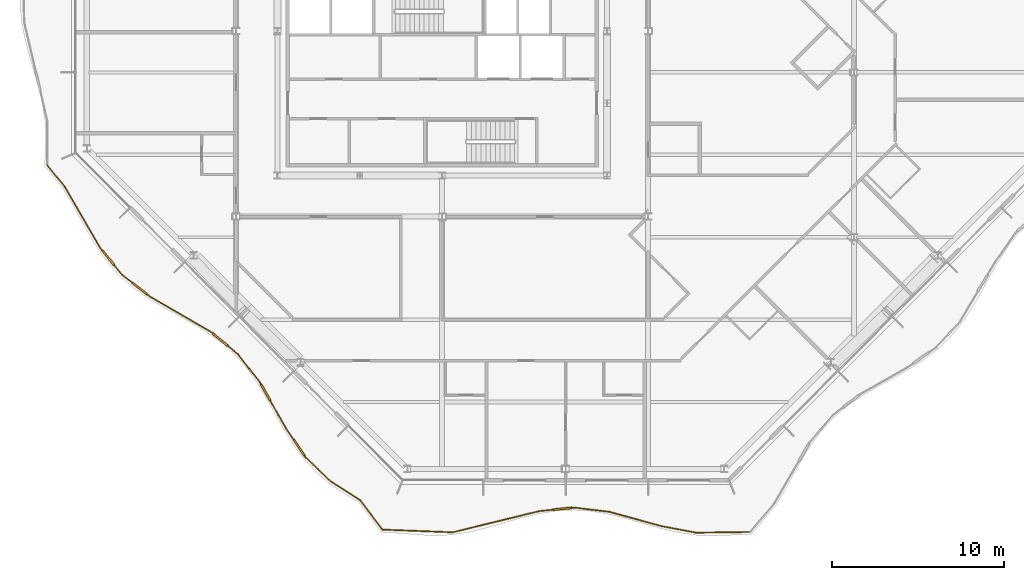
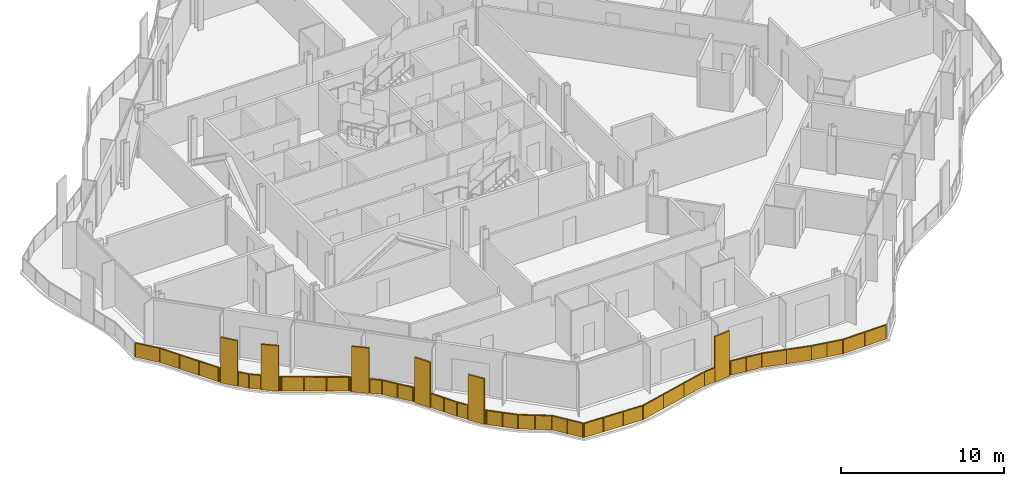
# One storey, part 13 of 17: 2 railings.
"""IFC4 building model written with IfcOpenShell, lengths in metres."""

from ifc_helpers import new_model, si_unit, direction, frame, origin, origin_2d, place, context, subcontext, project, spatial, polyline, rectangle, outline, extrude, material, type_object, element, save


model = new_model("IFC4")

# Units and contexts
model_context = context("Model", 3, precision=1e-05, world=origin(), true_north=direction((0.0, 1.0)))
body_context = subcontext(model_context, "Body", "Model", "MODEL_VIEW")
ifc_project = project(units=[si_unit("LENGTHUNIT", "METRE"), si_unit("AREAUNIT", "SQUARE_METRE"), si_unit("VOLUMEUNIT", "CUBIC_METRE"), si_unit("PLANEANGLEUNIT", "RADIAN"), si_unit("MASSUNIT", "GRAM", prefix="KILO")], contexts=[model_context])

# Site, building, storey
site_placement = place(None, origin())
site = spatial("IfcSite", under=ifc_project, at=site_placement, CompositionType="ELEMENT")
building_placement = place(site_placement, origin())
building = spatial("IfcBuilding", under=site, at=building_placement, Name="Cairn Pilgrim Tower", CompositionType="ELEMENT")
storey_placement = place(building_placement, frame((0.0, 0.0, 253.800048828125)))
storey = spatial("IfcBuildingStorey", under=building, at=storey_placement, Name="L65", CompositionType="ELEMENT", Elevation=253.800048828125)

# Railings
ifc_material = material(Name="Bronze anodised aluminium rail, posts and fin screens with laminated glass infill", Category="aluminium")
railing_type = type_object("IfcRailingType", Name="BALCONY GUARD WITH FIN SCREENS", PredefinedType="GUARDRAIL", material=ifc_material)
railing_1_placement = place(storey_placement, frame((3.72509765625, -26.633056640625, 0.0)))
element("IfcRailing", 1, at=railing_1_placement, inside=storey, type_object=railing_type, Name="Balcony guard BGF-1 with fin screens", PredefinedType="GUARDRAIL", context=body_context, shape_type="SweptSolid", body=[
    extrude(rectangle(XDim=0.050048828125, YDim=0.050048828125, at=origin_2d()), frame((0.0, 0.0, 1.0751953125), z_axis=(0.999278337435, -0.037984264288, 0.0), x_axis=(0.037984264288, 0.999278337435, 0.0)), (0.0, 0.0, 1.0), 4.09423828125),
    extrude(rectangle(XDim=0.050048828125, YDim=0.050048828125, at=origin_2d()), frame((4.09130859375, -0.155517578125, 1.0751953125), z_axis=(0.971320368438, 0.237774560997, 0.0), x_axis=(-0.237774560997, 0.971320368438, 0.0)), (0.0, 0.0, 1.0), 5.19140625),
    extrude(rectangle(XDim=1.10009765625, YDim=0.110107421875, at=origin_2d()), frame((10.4853515625, 1.213623046875, 0.0), z_axis=(0.0, 0.0, 1.0), x_axis=(0.995059478864, 0.099280579784, 0.0)), (0.0, 0.0, 1.0), 3.39990234375),
    extrude(rectangle(XDim=0.050048828125, YDim=0.050048828125, at=origin_2d()), frame((9.1337890625, 1.078857421875, 1.0751953125), z_axis=(0.995059478864, 0.099280579784, 0.0), x_axis=(-0.099280579784, 0.995059478864, 0.0)), (0.0, 0.0, 1.0), 0.80810546875),
    extrude(rectangle(XDim=0.050048828125, YDim=0.050048828125, at=origin_2d()), frame((11.032470703125, 1.268310546875, 1.0751953125), z_axis=(0.995059478864, 0.099280579784, 0.0), x_axis=(-0.099280579784, 0.995059478864, 0.0)), (0.0, 0.0, 1.0), 0.150146484375),
    extrude(rectangle(XDim=0.050048828125, YDim=0.050048828125, at=origin_2d()), frame((11.181884765625, 1.283203125, 1.0751953125), z_axis=(0.992676707489, -0.120801301352, 0.0), x_axis=(0.120801301352, 0.992676707489, 0.0)), (0.0, 0.0, 1.0), 2.0634765625),
    extrude(rectangle(XDim=0.050048828125, YDim=0.050048828125, at=origin_2d()), frame((13.230224609375, 1.033935546875, 1.0751953125), z_axis=(0.964288105644, -0.264855525358, 0.0), x_axis=(0.264855525358, 0.964288105644, 0.0)), (0.0, 0.0, 1.0), 3.14892578125),
    extrude(rectangle(XDim=0.050048828125, YDim=0.050048828125, at=origin_2d()), frame((16.2666015625, 0.199951171875, 1.0751953125), z_axis=(0.982592736091, -0.18577275091, 0.0), x_axis=(0.18577275091, 0.982592736091, 0.0)), (0.0, 0.0, 1.0), 2.03564453125),
    extrude(rectangle(XDim=0.050048828125, YDim=0.050048828125, at=origin_2d()), frame((18.266845703125, -0.17822265625, 1.0751953125), z_axis=(0.999910672549, 0.013365886551, 0.0), x_axis=(-0.013365886551, 0.999910672549, 0.0)), (0.0, 0.0, 1.0), 3.0869140625),
    extrude(rectangle(XDim=0.050048828125, YDim=0.050048828125, at=origin_2d()), origin(), (0.0, 0.0, 1.0), 1.050048828125),
    extrude(rectangle(XDim=0.050048828125, YDim=0.050048828125, at=origin_2d()), frame((1.36376953125, -0.0517578125, 0.0)), (0.0, 0.0, 1.0), 1.050048828125),
    extrude(rectangle(XDim=0.050048828125, YDim=0.050048828125, at=origin_2d()), frame((2.7275390625, -0.103759765625, 0.0)), (0.0, 0.0, 1.0), 1.050048828125),
    extrude(rectangle(XDim=0.050048828125, YDim=0.050048828125, at=origin_2d()), frame((4.09130859375, -0.155517578125, 0.0)), (0.0, 0.0, 1.0), 1.050048828125),
    extrude(rectangle(XDim=0.050048828125, YDim=0.050048828125, at=origin_2d()), frame((5.772216796875, 0.255859375, 0.0)), (0.0, 0.0, 1.0), 1.050048828125),
    extrude(rectangle(XDim=0.050048828125, YDim=0.050048828125, at=origin_2d()), frame((7.452880859375, 0.66748046875, 0.0)), (0.0, 0.0, 1.0), 1.050048828125),
    extrude(rectangle(XDim=0.050048828125, YDim=0.050048828125, at=origin_2d()), frame((9.1337890625, 1.078857421875, 0.0)), (0.0, 0.0, 1.0), 1.050048828125),
    extrude(rectangle(XDim=0.050048828125, YDim=0.050048828125, at=origin_2d()), frame((9.9130859375, 1.156494140625, 0.0)), (0.0, 0.0, 1.0), 1.050048828125),
    extrude(rectangle(XDim=0.050048828125, YDim=0.050048828125, at=origin_2d()), frame((11.057373046875, 1.270751953125, 0.0)), (0.0, 0.0, 1.0), 1.050048828125),
    extrude(rectangle(XDim=0.050048828125, YDim=0.050048828125, at=origin_2d()), frame((11.181884765625, 1.283203125, 0.0)), (0.0, 0.0, 1.0), 1.050048828125),
    extrude(rectangle(XDim=0.050048828125, YDim=0.050048828125, at=origin_2d()), frame((12.2060546875, 1.15869140625, 0.0)), (0.0, 0.0, 1.0), 1.050048828125),
    extrude(rectangle(XDim=0.050048828125, YDim=0.050048828125, at=origin_2d()), frame((13.230224609375, 1.033935546875, 0.0)), (0.0, 0.0, 1.0), 1.050048828125),
    extrude(rectangle(XDim=0.050048828125, YDim=0.050048828125, at=origin_2d()), frame((14.74853515625, 0.616943359375, 0.0)), (0.0, 0.0, 1.0), 1.050048828125),
    extrude(rectangle(XDim=0.050048828125, YDim=0.050048828125, at=origin_2d()), frame((16.2666015625, 0.199951171875, 0.0)), (0.0, 0.0, 1.0), 1.050048828125),
    extrude(rectangle(XDim=0.050048828125, YDim=0.050048828125, at=origin_2d()), frame((17.2666015625, 0.0107421875, 0.0)), (0.0, 0.0, 1.0), 1.050048828125),
    extrude(rectangle(XDim=0.050048828125, YDim=0.050048828125, at=origin_2d()), frame((18.266845703125, -0.17822265625, 0.0)), (0.0, 0.0, 1.0), 1.050048828125),
    extrude(rectangle(XDim=0.050048828125, YDim=0.050048828125, at=origin_2d()), frame((19.81005859375, -0.15771484375, 0.0)), (0.0, 0.0, 1.0), 1.050048828125),
    extrude(rectangle(XDim=0.050048828125, YDim=0.050048828125, at=origin_2d()), frame((21.353515625, -0.136962890625, 0.0)), (0.0, 0.0, 1.0), 1.050048828125),
    extrude(outline(polyline([(0.02490234375, 0.0), (1.33984375, 0.0), (1.33984375, 1.050048828125), (0.02490234375, 1.050048828125), (0.02490234375, 0.0)])), frame((0.000244140625, 0.005859375, 0.0), z_axis=(-0.037984264288, -0.999278337435, 0.0), x_axis=(0.999278337435, -0.037984264288, 0.0)), (0.0, 0.0, 1.0), 0.011962890625),
    extrude(outline(polyline([(0.02490234375, 0.0), (1.33984375, 0.0), (1.33984375, 1.050048828125), (0.02490234375, 1.050048828125), (0.02490234375, 0.0)])), frame((1.364013671875, -0.0458984375, 0.0), z_axis=(-0.037984264288, -0.999278337435, 0.0), x_axis=(0.999278337435, -0.037984264288, 0.0)), (0.0, 0.0, 1.0), 0.011962890625),
    extrude(outline(polyline([(0.02490234375, 0.0), (1.33984375, 0.0), (1.33984375, 1.050048828125), (0.02490234375, 1.050048828125), (0.02490234375, 0.0)])), frame((2.727783203125, -0.09765625, 0.0), z_axis=(-0.037984264288, -0.999278337435, 0.0), x_axis=(0.999278337435, -0.037984264288, 0.0)), (0.0, 0.0, 1.0), 0.011962890625),
    extrude(outline(polyline([(0.02490234375, 0.0), (1.705322265625, 0.0), (1.705322265625, 1.050048828125), (0.02490234375, 1.050048828125), (0.02490234375, 0.0)])), frame((4.08984375, -0.149658203125, 0.0), z_axis=(0.237774560997, -0.971320368438, 0.0), x_axis=(0.971320368438, 0.237774560997, 0.0)), (0.0, 0.0, 1.0), 0.011962890625),
    extrude(outline(polyline([(0.02490234375, 0.0), (1.705322265625, 0.0), (1.705322265625, 1.050048828125), (0.02490234375, 1.050048828125), (0.02490234375, 0.0)])), frame((5.770751953125, 0.26171875, 0.0), z_axis=(0.237774560997, -0.971320368438, 0.0), x_axis=(0.971320368438, 0.237774560997, 0.0)), (0.0, 0.0, 1.0), 0.011962890625),
    extrude(outline(polyline([(0.02490234375, 0.0), (1.705322265625, 0.0), (1.705322265625, 1.050048828125), (0.02490234375, 1.050048828125), (0.02490234375, 0.0)])), frame((7.45166015625, 0.673095703125, 0.0), z_axis=(0.237774560997, -0.971320368438, 0.0), x_axis=(0.971320368438, 0.237774560997, 0.0)), (0.0, 0.0, 1.0), 0.011962890625),
    extrude(outline(polyline([(0.02490234375, 0.0), (0.758056640625, 0.0), (0.758056640625, 1.050048828125), (0.02490234375, 1.050048828125), (0.02490234375, 0.0)])), frame((9.13330078125, 1.084716796875, 0.0), z_axis=(0.099280579784, -0.995059478864, 0.0), x_axis=(0.995059478864, 0.099280579784, 0.0)), (0.0, 0.0, 1.0), 0.011962890625),
    extrude(outline(polyline([(0.02490234375, 0.0), (0.10009765625, 0.0), (0.10009765625, 1.050048828125), (0.02490234375, 1.050048828125), (0.02490234375, 0.0)])), frame((11.056884765625, 1.27685546875, 0.0), z_axis=(0.099280579784, -0.995059478864, 0.0), x_axis=(0.995059478864, 0.099280579784, 0.0)), (0.0, 0.0, 1.0), 0.011962890625),
    extrude(outline(polyline([(0.02490234375, 0.0), (1.006591796875, 0.0), (1.006591796875, 1.050048828125), (0.02490234375, 1.050048828125), (0.02490234375, 0.0)])), frame((11.1826171875, 1.2890625, 0.0), z_axis=(-0.120801301352, -0.992676707489, 0.0), x_axis=(0.992676707489, -0.120801301352, 0.0)), (0.0, 0.0, 1.0), 0.011962890625),
    extrude(outline(polyline([(0.02490234375, 0.0), (1.006591796875, 0.0), (1.006591796875, 1.050048828125), (0.02490234375, 1.050048828125), (0.02490234375, 0.0)])), frame((12.206787109375, 1.16455078125, 0.0), z_axis=(-0.120801301352, -0.992676707489, 0.0), x_axis=(0.992676707489, -0.120801301352, 0.0)), (0.0, 0.0, 1.0), 0.011962890625),
    extrude(outline(polyline([(0.02490234375, 0.0), (1.54931640625, 0.0), (1.54931640625, 1.050048828125), (0.02490234375, 1.050048828125), (0.02490234375, 0.0)])), frame((13.231689453125, 1.039794921875, 0.0), z_axis=(-0.264855525358, -0.964288105644, 0.0), x_axis=(0.964288105644, -0.264855525358, 0.0)), (0.0, 0.0, 1.0), 0.011962890625),
    extrude(outline(polyline([(0.02490234375, 0.0), (1.54931640625, 0.0), (1.54931640625, 1.050048828125), (0.02490234375, 1.050048828125), (0.02490234375, 0.0)])), frame((14.75, 0.622802734375, 0.0), z_axis=(-0.264855525358, -0.964288105644, 0.0), x_axis=(0.964288105644, -0.264855525358, 0.0)), (0.0, 0.0, 1.0), 0.011962890625),
    extrude(outline(polyline([(0.02490234375, 0.0), (0.992919921875, 0.0), (0.992919921875, 1.050048828125), (0.02490234375, 1.050048828125), (0.02490234375, 0.0)])), frame((16.267822265625, 0.205810546875, 0.0), z_axis=(-0.18577275091, -0.982592736091, 0.0), x_axis=(0.982592736091, -0.18577275091, 0.0)), (0.0, 0.0, 1.0), 0.011962890625),
    extrude(outline(polyline([(0.02490234375, 0.0), (0.992919921875, 0.0), (0.992919921875, 1.050048828125), (0.02490234375, 1.050048828125), (0.02490234375, 0.0)])), frame((17.267822265625, 0.016845703125, 0.0), z_axis=(-0.18577275091, -0.982592736091, 0.0), x_axis=(0.982592736091, -0.18577275091, 0.0)), (0.0, 0.0, 1.0), 0.011962890625),
    extrude(outline(polyline([(0.02490234375, 0.0), (1.5185546875, 0.0), (1.5185546875, 1.050048828125), (0.02490234375, 1.050048828125), (0.02490234375, 0.0)])), frame((18.266845703125, -0.17236328125, 0.0), z_axis=(0.013365886551, -0.999910672549, 0.0), x_axis=(0.999910672549, 0.013365886551, 0.0)), (0.0, 0.0, 1.0), 0.011962890625),
    extrude(outline(polyline([(0.02490234375, 0.0), (1.5185546875, 0.0), (1.5185546875, 1.050048828125), (0.02490234375, 1.050048828125), (0.02490234375, 0.0)])), frame((19.81005859375, -0.151611328125, 0.0), z_axis=(0.013365886551, -0.999910672549, 0.0), x_axis=(0.999910672549, 0.013365886551, 0.0)), (0.0, 0.0, 1.0), 0.011962890625),
])
railing_2_placement = place(storey_placement, frame((-15.8134765625, -5.39501953125, 0.0)))
element("IfcRailing", 2, at=railing_2_placement, inside=storey, type_object=railing_type, Name="Balcony guard BGF-8 with fin screens", PredefinedType="GUARDRAIL", context=body_context, shape_type="SweptSolid", body=[
    extrude(rectangle(XDim=0.050048828125, YDim=0.050048828125, at=origin_2d()), frame((0.0, 0.0, 1.0751953125), z_axis=(0.631381027032, -0.775472758196, 0.0), x_axis=(0.775472758196, 0.631381027032, 0.0)), (0.0, 0.0, 1.0), 1.619873046875),
    extrude(rectangle(XDim=0.050048828125, YDim=0.050048828125, at=origin_2d()), frame((1.022705078125, -1.256103515625, 1.0751953125), z_axis=(0.502582725752, -0.864529122572, 0.0), x_axis=(0.864529122572, 0.502582725752, 0.0)), (0.0, 0.0, 1.0), 4.1611328125),
    extrude(rectangle(XDim=1.10009765625, YDim=0.110107421875, at=origin_2d()), frame((3.557373046875, -5.395263671875, 0.0), z_axis=(0.0, 0.0, 1.0), x_axis=(0.633217777186, -0.773973673102, 0.0)), (0.0, 0.0, 1.0), 3.39990234375),
    extrude(rectangle(XDim=0.050048828125, YDim=0.050048828125, at=origin_2d()), frame((3.114013671875, -4.853515625, 1.0751953125), z_axis=(0.633217777186, -0.773973673102, 0.0), x_axis=(0.773973673102, 0.633217777186, 0.0)), (0.0, 0.0, 1.0), 0.14990234375),
    extrude(rectangle(XDim=0.050048828125, YDim=0.050048828125, at=origin_2d()), frame((3.905517578125, -5.821044921875, 1.0751953125), z_axis=(0.633217777186, -0.773973673102, 0.0), x_axis=(0.773973673102, 0.633217777186, 0.0)), (0.0, 0.0, 1.0), 0.742919921875),
    extrude(rectangle(XDim=1.10009765625, YDim=0.110107421875, at=origin_2d()), frame((5.397705078125, -7.197998046875, 0.0), z_axis=(0.0, 0.0, 1.0), x_axis=(0.786661501029, -0.617384550179, 0.0)), (0.0, 0.0, 1.0), 3.39990234375),
    extrude(rectangle(XDim=0.050048828125, YDim=0.050048828125, at=origin_2d()), frame((4.3759765625, -6.39599609375, 1.0751953125), z_axis=(0.786661501029, -0.617384550179, 0.0), x_axis=(0.617384550179, 0.786661501029, 0.0)), (0.0, 0.0, 1.0), 0.748779296875),
    extrude(rectangle(XDim=0.050048828125, YDim=0.050048828125, at=origin_2d()), frame((5.830322265625, -7.537353515625, 1.0751953125), z_axis=(0.786661501029, -0.617384550179, 0.0), x_axis=(0.617384550179, 0.786661501029, 0.0)), (0.0, 0.0, 1.0), 0.150146484375),
    extrude(rectangle(XDim=0.050048828125, YDim=0.050048828125, at=origin_2d()), frame((5.948486328125, -7.630126953125, 1.0751953125), z_axis=(0.864435466148, -0.502743796446, 0.0), x_axis=(0.502743796446, 0.864435466148, 0.0)), (0.0, 0.0, 1.0), 4.16259765625),
    extrude(rectangle(XDim=1.10009765625, YDim=0.110107421875, at=origin_2d()), frame((10.086669921875, -10.168701171875, 0.0), z_axis=(0.0, 0.0, 1.0), x_axis=(0.770987182528, -0.63685066097, 0.0)), (0.0, 0.0, 1.0), 3.39990234375),
    extrude(rectangle(XDim=0.050048828125, YDim=0.050048828125, at=origin_2d()), frame((9.546875, -9.722900390625, 1.0751953125), z_axis=(0.770987182528, -0.63685066097, 0.0), x_axis=(0.63685066097, 0.770987182528, 0.0)), (0.0, 0.0, 1.0), 0.150146484375),
    extrude(rectangle(XDim=0.050048828125, YDim=0.050048828125, at=origin_2d()), frame((10.5107421875, -10.51904296875, 1.0751953125), z_axis=(0.770987182528, -0.63685066097, 0.0), x_axis=(0.63685066097, 0.770987182528, 0.0)), (0.0, 0.0, 1.0), 0.79931640625),
    extrude(rectangle(XDim=0.050048828125, YDim=0.050048828125, at=origin_2d()), frame((11.126953125, -11.028076171875, 1.0751953125), z_axis=(0.613808966745, -0.789454591692, 0.0), x_axis=(0.789454591692, 0.613808966745, 0.0)), (0.0, 0.0, 1.0), 2.054443359375),
    extrude(rectangle(XDim=1.10009765625, YDim=0.110107421875, at=origin_2d()), frame((12.73388671875, -13.25830078125, 0.0), z_axis=(0.0, 0.0, 1.0), x_axis=(0.494166005133, -0.86936756287, 0.0)), (0.0, 0.0, 1.0), 3.39990234375),
    extrude(rectangle(XDim=0.050048828125, YDim=0.050048828125, at=origin_2d()), frame((12.387939453125, -12.64990234375, 1.0751953125), z_axis=(0.494166005133, -0.86936756287, 0.0), x_axis=(0.86936756287, 0.494166005133, 0.0)), (0.0, 0.0, 1.0), 0.14990234375),
    extrude(rectangle(XDim=0.050048828125, YDim=0.050048828125, at=origin_2d()), frame((13.005615234375, -13.736572265625, 1.0751953125), z_axis=(0.494166005133, -0.86936756287, 0.0), x_axis=(0.86936756287, 0.494166005133, 0.0)), (0.0, 0.0, 1.0), 1.8837890625),
    extrude(rectangle(XDim=1.10009765625, YDim=0.110107421875, at=origin_2d()), frame((14.683837890625, -16.46826171875, 0.0), z_axis=(0.0, 0.0, 1.0), x_axis=(0.564069942549, -0.825727012949, 0.0)), (0.0, 0.0, 1.0), 3.39990234375),
    extrude(rectangle(XDim=0.050048828125, YDim=0.050048828125, at=origin_2d()), frame((13.9365234375, -15.374267578125, 1.0751953125), z_axis=(0.564069942549, -0.825727012949, 0.0), x_axis=(0.825727012949, 0.564069942549, 0.0)), (0.0, 0.0, 1.0), 0.774658203125),
    extrude(rectangle(XDim=0.050048828125, YDim=0.050048828125, at=origin_2d()), frame((14.994140625, -16.92236328125, 1.0751953125), z_axis=(0.564069942549, -0.825727012949, 0.0), x_axis=(0.825727012949, 0.564069942549, 0.0)), (0.0, 0.0, 1.0), 0.14990234375),
    extrude(rectangle(XDim=0.050048828125, YDim=0.050048828125, at=origin_2d()), frame((15.07861328125, -17.046142578125, 1.0751953125), z_axis=(0.721977947292, -0.691916066893, 0.0), x_axis=(0.691916066893, 0.721977947292, 0.0)), (0.0, 0.0, 1.0), 1.981689453125),
    extrude(rectangle(XDim=0.050048828125, YDim=0.050048828125, at=origin_2d()), frame((16.50927734375, -18.417236328125, 1.0751953125), z_axis=(0.841572758105, -0.540143770505, 0.0), x_axis=(0.540143770505, 0.841572758105, 0.0)), (0.0, 0.0, 1.0), 2.071044921875),
    extrude(rectangle(XDim=0.050048828125, YDim=0.050048828125, at=origin_2d()), frame((18.252197265625, -19.535888671875, 1.0751953125), z_axis=(0.602934684407, -0.797790552927, 0.0), x_axis=(0.797790552927, 0.602934684407, 0.0)), (0.0, 0.0, 1.0), 2.073486328125),
    extrude(rectangle(XDim=0.050048828125, YDim=0.050048828125, at=origin_2d()), origin(), (0.0, 0.0, 1.0), 1.050048828125),
    extrude(rectangle(XDim=0.050048828125, YDim=0.050048828125, at=origin_2d()), frame((1.022705078125, -1.256103515625, 0.0)), (0.0, 0.0, 1.0), 1.050048828125),
    extrude(rectangle(XDim=0.050048828125, YDim=0.050048828125, at=origin_2d()), frame((1.7197265625, -2.455322265625, 0.0)), (0.0, 0.0, 1.0), 1.050048828125),
    extrude(rectangle(XDim=0.050048828125, YDim=0.050048828125, at=origin_2d()), frame((2.4169921875, -3.654296875, 0.0)), (0.0, 0.0, 1.0), 1.050048828125),
    extrude(rectangle(XDim=0.050048828125, YDim=0.050048828125, at=origin_2d()), frame((3.114013671875, -4.853515625, 0.0)), (0.0, 0.0, 1.0), 1.050048828125),
    extrude(rectangle(XDim=0.050048828125, YDim=0.050048828125, at=origin_2d()), frame((3.193115234375, -4.9501953125, 0.0)), (0.0, 0.0, 1.0), 1.050048828125),
    extrude(rectangle(XDim=0.050048828125, YDim=0.050048828125, at=origin_2d()), frame((3.92138671875, -5.84033203125, 0.0)), (0.0, 0.0, 1.0), 1.050048828125),
    extrude(rectangle(XDim=0.050048828125, YDim=0.050048828125, at=origin_2d()), frame((4.3759765625, -6.39599609375, 0.0)), (0.0, 0.0, 1.0), 1.050048828125),
    extrude(rectangle(XDim=0.050048828125, YDim=0.050048828125, at=origin_2d()), frame((4.9453125, -6.8427734375, 0.0)), (0.0, 0.0, 1.0), 1.050048828125),
    extrude(rectangle(XDim=0.050048828125, YDim=0.050048828125, at=origin_2d()), frame((5.85009765625, -7.552978515625, 0.0)), (0.0, 0.0, 1.0), 1.050048828125),
    extrude(rectangle(XDim=0.050048828125, YDim=0.050048828125, at=origin_2d()), frame((5.948486328125, -7.630126953125, 0.0)), (0.0, 0.0, 1.0), 1.050048828125),
    extrude(rectangle(XDim=0.050048828125, YDim=0.050048828125, at=origin_2d()), frame((7.14794921875, -8.32763671875, 0.0)), (0.0, 0.0, 1.0), 1.050048828125),
    extrude(rectangle(XDim=0.050048828125, YDim=0.050048828125, at=origin_2d()), frame((8.347412109375, -9.025390625, 0.0)), (0.0, 0.0, 1.0), 1.050048828125),
    extrude(rectangle(XDim=0.050048828125, YDim=0.050048828125, at=origin_2d()), frame((9.546875, -9.722900390625, 0.0)), (0.0, 0.0, 1.0), 1.050048828125),
    extrude(rectangle(XDim=0.050048828125, YDim=0.050048828125, at=origin_2d()), frame((9.643310546875, -9.802490234375, 0.0)), (0.0, 0.0, 1.0), 1.050048828125),
    extrude(rectangle(XDim=0.050048828125, YDim=0.050048828125, at=origin_2d()), frame((10.530029296875, -10.534912109375, 0.0)), (0.0, 0.0, 1.0), 1.050048828125),
    extrude(rectangle(XDim=0.050048828125, YDim=0.050048828125, at=origin_2d()), frame((11.126953125, -11.028076171875, 0.0)), (0.0, 0.0, 1.0), 1.050048828125),
    extrude(rectangle(XDim=0.050048828125, YDim=0.050048828125, at=origin_2d()), frame((11.75732421875, -11.8388671875, 0.0)), (0.0, 0.0, 1.0), 1.050048828125),
    extrude(rectangle(XDim=0.050048828125, YDim=0.050048828125, at=origin_2d()), frame((12.387939453125, -12.64990234375, 0.0)), (0.0, 0.0, 1.0), 1.050048828125),
    extrude(rectangle(XDim=0.050048828125, YDim=0.050048828125, at=origin_2d()), frame((12.44970703125, -12.758544921875, 0.0)), (0.0, 0.0, 1.0), 1.050048828125),
    extrude(rectangle(XDim=0.050048828125, YDim=0.050048828125, at=origin_2d()), frame((13.01806640625, -13.75830078125, 0.0)), (0.0, 0.0, 1.0), 1.050048828125),
    extrude(rectangle(XDim=0.050048828125, YDim=0.050048828125, at=origin_2d()), frame((13.477294921875, -14.566162109375, 0.0)), (0.0, 0.0, 1.0), 1.050048828125),
    extrude(rectangle(XDim=0.050048828125, YDim=0.050048828125, at=origin_2d()), frame((13.9365234375, -15.374267578125, 0.0)), (0.0, 0.0, 1.0), 1.050048828125),
    extrude(rectangle(XDim=0.050048828125, YDim=0.050048828125, at=origin_2d()), frame((14.359375, -15.993408203125, 0.0)), (0.0, 0.0, 1.0), 1.050048828125),
    extrude(rectangle(XDim=0.050048828125, YDim=0.050048828125, at=origin_2d()), frame((15.008056640625, -16.94287109375, 0.0)), (0.0, 0.0, 1.0), 1.050048828125),
    extrude(rectangle(XDim=0.050048828125, YDim=0.050048828125, at=origin_2d()), frame((15.07861328125, -17.046142578125, 0.0)), (0.0, 0.0, 1.0), 1.050048828125),
    extrude(rectangle(XDim=0.050048828125, YDim=0.050048828125, at=origin_2d()), frame((15.7939453125, -17.731689453125, 0.0)), (0.0, 0.0, 1.0), 1.050048828125),
    extrude(rectangle(XDim=0.050048828125, YDim=0.050048828125, at=origin_2d()), frame((16.50927734375, -18.417236328125, 0.0)), (0.0, 0.0, 1.0), 1.050048828125),
    extrude(rectangle(XDim=0.050048828125, YDim=0.050048828125, at=origin_2d()), frame((17.380859375, -18.9765625, 0.0)), (0.0, 0.0, 1.0), 1.050048828125),
    extrude(rectangle(XDim=0.050048828125, YDim=0.050048828125, at=origin_2d()), frame((18.252197265625, -19.535888671875, 0.0)), (0.0, 0.0, 1.0), 1.050048828125),
    extrude(rectangle(XDim=0.050048828125, YDim=0.050048828125, at=origin_2d()), frame((18.87744140625, -20.363037109375, 0.0)), (0.0, 0.0, 1.0), 1.050048828125),
    extrude(rectangle(XDim=0.050048828125, YDim=0.050048828125, at=origin_2d()), frame((19.50244140625, -21.190185546875, 0.0)), (0.0, 0.0, 1.0), 1.050048828125),
    extrude(outline(polyline([(0.02490234375, 0.0), (1.5947265625, 0.0), (1.5947265625, 1.050048828125), (0.02490234375, 1.050048828125), (0.02490234375, 0.0)])), frame((0.004638671875, 0.003662109375, 0.0), z_axis=(-0.775472758196, -0.631381027032, 0.0), x_axis=(0.631381027032, -0.775472758196, 0.0)), (0.0, 0.0, 1.0), 0.011962890625),
    extrude(outline(polyline([(0.02490234375, 0.0), (1.362060546875, 0.0), (1.362060546875, 1.050048828125), (0.02490234375, 1.050048828125), (0.02490234375, 0.0)])), frame((1.02783203125, -1.253173828125, 0.0), z_axis=(-0.864529122572, -0.502582725752, 0.0), x_axis=(0.502582725752, -0.864529122572, 0.0)), (0.0, 0.0, 1.0), 0.011962890625),
    extrude(outline(polyline([(0.02490234375, 0.0), (1.362060546875, 0.0), (1.362060546875, 1.050048828125), (0.02490234375, 1.050048828125), (0.02490234375, 0.0)])), frame((1.72509765625, -2.4521484375, 0.0), z_axis=(-0.864529122572, -0.502582725752, 0.0), x_axis=(0.502582725752, -0.864529122572, 0.0)), (0.0, 0.0, 1.0), 0.011962890625),
    extrude(outline(polyline([(0.02490234375, 0.0), (1.362060546875, 0.0), (1.362060546875, 1.050048828125), (0.02490234375, 1.050048828125), (0.02490234375, 0.0)])), frame((2.422119140625, -3.6513671875, 0.0), z_axis=(-0.864529122572, -0.502582725752, 0.0), x_axis=(0.502582725752, -0.864529122572, 0.0)), (0.0, 0.0, 1.0), 0.011962890625),
    extrude(outline(polyline([(0.02490234375, 0.0), (0.099853515625, 0.0), (0.099853515625, 1.050048828125), (0.02490234375, 1.050048828125), (0.02490234375, 0.0)])), frame((3.11865234375, -4.849609375, 0.0), z_axis=(-0.773973673102, -0.633217777186, 0.0), x_axis=(0.633217777186, -0.773973673102, 0.0)), (0.0, 0.0, 1.0), 0.011962890625),
    extrude(outline(polyline([(0.02490234375, 0.0), (0.69287109375, 0.0), (0.69287109375, 1.050048828125), (0.02490234375, 1.050048828125), (0.02490234375, 0.0)])), frame((3.926025390625, -5.836669921875, 0.0), z_axis=(-0.773973673102, -0.633217777186, 0.0), x_axis=(0.633217777186, -0.773973673102, 0.0)), (0.0, 0.0, 1.0), 0.011962890625),
    extrude(outline(polyline([(0.02490234375, 0.0), (0.69873046875, 0.0), (0.69873046875, 1.050048828125), (0.02490234375, 1.050048828125), (0.02490234375, 0.0)])), frame((4.379638671875, -6.391357421875, 0.0), z_axis=(-0.617384550179, -0.786661501029, 0.0), x_axis=(0.786661501029, -0.617384550179, 0.0)), (0.0, 0.0, 1.0), 0.011962890625),
    extrude(outline(polyline([(0.02490234375, 0.0), (0.10009765625, 0.0), (0.10009765625, 1.050048828125), (0.02490234375, 1.050048828125), (0.02490234375, 0.0)])), frame((5.853759765625, -7.548095703125, 0.0), z_axis=(-0.617384550179, -0.786661501029, 0.0), x_axis=(0.786661501029, -0.617384550179, 0.0)), (0.0, 0.0, 1.0), 0.011962890625),
    extrude(outline(polyline([(0.02490234375, 0.0), (1.362548828125, 0.0), (1.362548828125, 1.050048828125), (0.02490234375, 1.050048828125), (0.02490234375, 0.0)])), frame((5.951416015625, -7.625, 0.0), z_axis=(-0.502743796446, -0.864435466148, 0.0), x_axis=(0.864435466148, -0.502743796446, 0.0)), (0.0, 0.0, 1.0), 0.011962890625),
    extrude(outline(polyline([(0.02490234375, 0.0), (1.362548828125, 0.0), (1.362548828125, 1.050048828125), (0.02490234375, 1.050048828125), (0.02490234375, 0.0)])), frame((7.15087890625, -8.322509765625, 0.0), z_axis=(-0.502743796446, -0.864435466148, 0.0), x_axis=(0.864435466148, -0.502743796446, 0.0)), (0.0, 0.0, 1.0), 0.011962890625),
    extrude(outline(polyline([(0.02490234375, 0.0), (1.362548828125, 0.0), (1.362548828125, 1.050048828125), (0.02490234375, 1.050048828125), (0.02490234375, 0.0)])), frame((8.350341796875, -9.02001953125, 0.0), z_axis=(-0.502743796446, -0.864435466148, 0.0), x_axis=(0.864435466148, -0.502743796446, 0.0)), (0.0, 0.0, 1.0), 0.011962890625),
    extrude(outline(polyline([(0.02490234375, 0.0), (0.10009765625, 0.0), (0.10009765625, 1.050048828125), (0.02490234375, 1.050048828125), (0.02490234375, 0.0)])), frame((9.55078125, -9.71826171875, 0.0), z_axis=(-0.63685066097, -0.770987182528, 0.0), x_axis=(0.770987182528, -0.63685066097, 0.0)), (0.0, 0.0, 1.0), 0.011962890625),
    extrude(outline(polyline([(0.02490234375, 0.0), (0.749267578125, 0.0), (0.749267578125, 1.050048828125), (0.02490234375, 1.050048828125), (0.02490234375, 0.0)])), frame((10.53369140625, -10.5302734375, 0.0), z_axis=(-0.63685066097, -0.770987182528, 0.0), x_axis=(0.770987182528, -0.63685066097, 0.0)), (0.0, 0.0, 1.0), 0.011962890625),
    extrude(outline(polyline([(0.02490234375, 0.0), (1.002197265625, 0.0), (1.002197265625, 1.050048828125), (0.02490234375, 1.050048828125), (0.02490234375, 0.0)])), frame((11.131591796875, -11.0244140625, 0.0), z_axis=(-0.789454591692, -0.613808966745, 0.0), x_axis=(0.613808966745, -0.789454591692, 0.0)), (0.0, 0.0, 1.0), 0.011962890625),
    extrude(outline(polyline([(0.02490234375, 0.0), (1.002197265625, 0.0), (1.002197265625, 1.050048828125), (0.02490234375, 1.050048828125), (0.02490234375, 0.0)])), frame((11.76220703125, -11.835205078125, 0.0), z_axis=(-0.789454591692, -0.613808966745, 0.0), x_axis=(0.613808966745, -0.789454591692, 0.0)), (0.0, 0.0, 1.0), 0.011962890625),
    extrude(outline(polyline([(0.02490234375, 0.0), (0.099853515625, 0.0), (0.099853515625, 1.050048828125), (0.02490234375, 1.050048828125), (0.02490234375, 0.0)])), frame((12.39306640625, -12.64697265625, 0.0), z_axis=(-0.86936756287, -0.494166005133, 0.0), x_axis=(0.494166005133, -0.86936756287, 0.0)), (0.0, 0.0, 1.0), 0.011962890625),
    extrude(outline(polyline([(0.02490234375, 0.0), (0.904296875, 0.0), (0.904296875, 1.050048828125), (0.02490234375, 1.050048828125), (0.02490234375, 0.0)])), frame((13.023193359375, -13.75537109375, 0.0), z_axis=(-0.86936756287, -0.494166005133, 0.0), x_axis=(0.494166005133, -0.86936756287, 0.0)), (0.0, 0.0, 1.0), 0.011962890625),
    extrude(outline(polyline([(0.02490234375, 0.0), (0.904296875, 0.0), (0.904296875, 1.050048828125), (0.02490234375, 1.050048828125), (0.02490234375, 0.0)])), frame((13.482421875, -14.563232421875, 0.0), z_axis=(-0.86936756287, -0.494166005133, 0.0), x_axis=(0.494166005133, -0.86936756287, 0.0)), (0.0, 0.0, 1.0), 0.011962890625),
    extrude(outline(polyline([(0.02490234375, 0.0), (0.724609375, 0.0), (0.724609375, 1.050048828125), (0.02490234375, 1.050048828125), (0.02490234375, 0.0)])), frame((13.94140625, -15.370849609375, 0.0), z_axis=(-0.825727012949, -0.564069942549, 0.0), x_axis=(0.564069942549, -0.825727012949, 0.0)), (0.0, 0.0, 1.0), 0.011962890625),
    extrude(outline(polyline([(0.02490234375, 0.0), (0.099853515625, 0.0), (0.099853515625, 1.050048828125), (0.02490234375, 1.050048828125), (0.02490234375, 0.0)])), frame((15.01318359375, -16.939697265625, 0.0), z_axis=(-0.825727012949, -0.564069942549, 0.0), x_axis=(0.564069942549, -0.825727012949, 0.0)), (0.0, 0.0, 1.0), 0.011962890625),
    extrude(outline(polyline([(0.02490234375, 0.0), (0.9658203125, 0.0), (0.9658203125, 1.050048828125), (0.02490234375, 1.050048828125), (0.02490234375, 0.0)])), frame((15.082763671875, -17.041748046875, 0.0), z_axis=(-0.691916066893, -0.721977947292, 0.0), x_axis=(0.721977947292, -0.691916066893, 0.0)), (0.0, 0.0, 1.0), 0.011962890625),
    extrude(outline(polyline([(0.02490234375, 0.0), (0.9658203125, 0.0), (0.9658203125, 1.050048828125), (0.02490234375, 1.050048828125), (0.02490234375, 0.0)])), frame((15.798095703125, -17.727294921875, 0.0), z_axis=(-0.691916066893, -0.721977947292, 0.0), x_axis=(0.721977947292, -0.691916066893, 0.0)), (0.0, 0.0, 1.0), 0.011962890625),
    extrude(outline(polyline([(0.02490234375, 0.0), (1.010498046875, 0.0), (1.010498046875, 1.050048828125), (0.02490234375, 1.050048828125), (0.02490234375, 0.0)])), frame((16.512451171875, -18.412109375, 0.0), z_axis=(-0.540143770505, -0.841572758105, 0.0), x_axis=(0.841572758105, -0.540143770505, 0.0)), (0.0, 0.0, 1.0), 0.011962890625),
    extrude(outline(polyline([(0.02490234375, 0.0), (1.010498046875, 0.0), (1.010498046875, 1.050048828125), (0.02490234375, 1.050048828125), (0.02490234375, 0.0)])), frame((17.384033203125, -18.971435546875, 0.0), z_axis=(-0.540143770505, -0.841572758105, 0.0), x_axis=(0.841572758105, -0.540143770505, 0.0)), (0.0, 0.0, 1.0), 0.011962890625),
    extrude(outline(polyline([(0.02490234375, 0.0), (1.01171875, 0.0), (1.01171875, 1.050048828125), (0.02490234375, 1.050048828125), (0.02490234375, 0.0)])), frame((18.257080078125, -19.5322265625, 0.0), z_axis=(-0.797790552927, -0.602934684407, 0.0), x_axis=(0.602934684407, -0.797790552927, 0.0)), (0.0, 0.0, 1.0), 0.011962890625),
    extrude(outline(polyline([(0.02490234375, 0.0), (1.01171875, 0.0), (1.01171875, 1.050048828125), (0.02490234375, 1.050048828125), (0.02490234375, 0.0)])), frame((18.882080078125, -20.359375, 0.0), z_axis=(-0.797790552927, -0.602934684407, 0.0), x_axis=(0.602934684407, -0.797790552927, 0.0)), (0.0, 0.0, 1.0), 0.011962890625),
])

save(model, "model.ifc")
